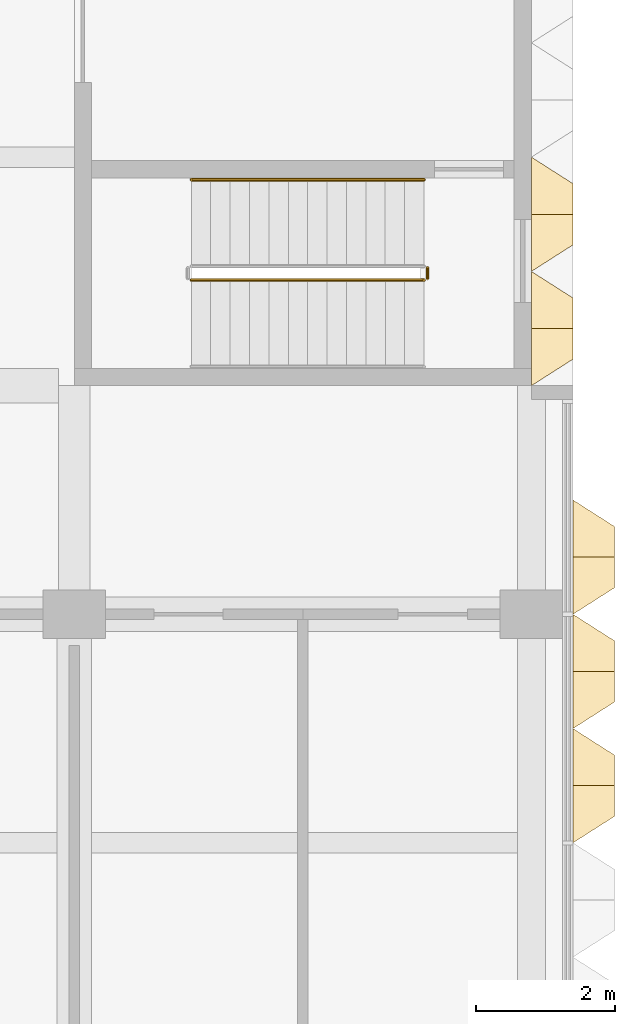
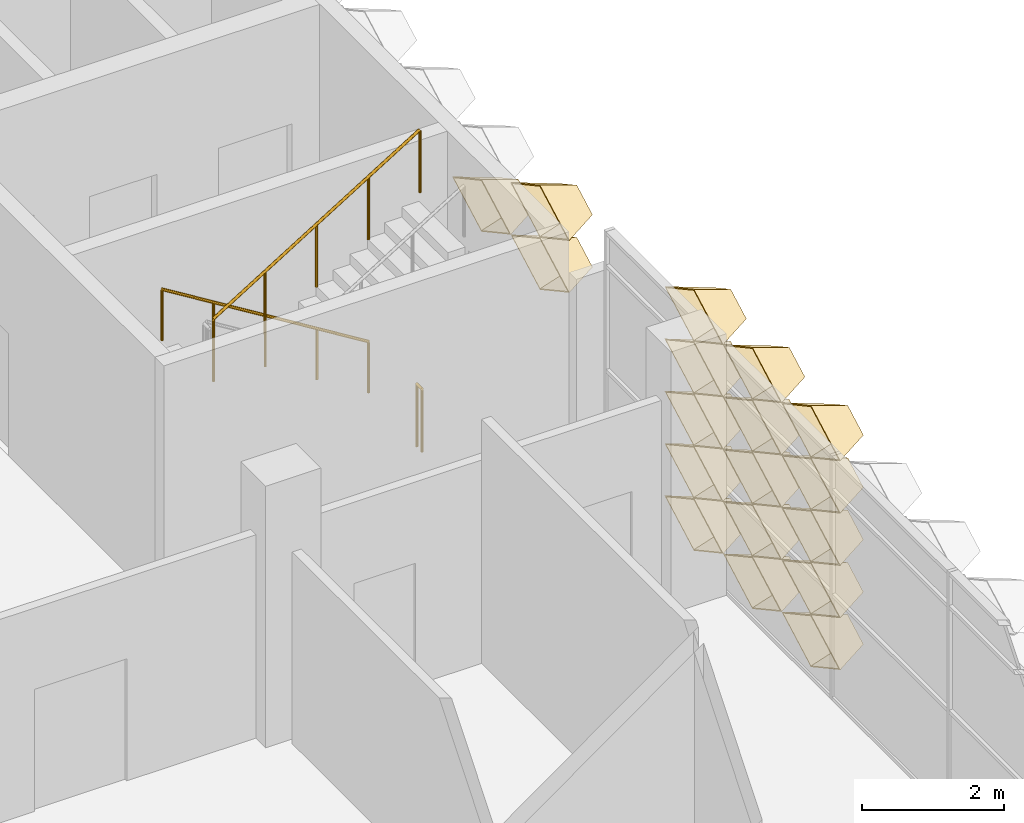
# One storey, part 63 of 87: 18 coverings, 3 railings.
"""IFC4 building model written with IfcOpenShell, lengths in metres."""

from ifc_helpers import new_model, entity, si_unit, direction, frame, origin, origin_2d, place, context, subcontext, project, spatial, circle, extrude, material, layer, layer_set, type_object, element, save


model = new_model("IFC4")

# Units and contexts
model_context = context("Model", 3, precision=1e-05, world=origin(), true_north=direction((0.0, 1.0)))
body_context = subcontext(model_context, "Body", "Model", "MODEL_VIEW")
ifc_project = project(units=[si_unit("LENGTHUNIT", "METRE"), si_unit("AREAUNIT", "SQUARE_METRE"), si_unit("VOLUMEUNIT", "CUBIC_METRE"), si_unit("PLANEANGLEUNIT", "RADIAN"), si_unit("MASSUNIT", "GRAM", prefix="KILO")], contexts=[model_context])

# Site, building, storey
site_placement = place(None, origin())
site = spatial("IfcSite", under=ifc_project, at=site_placement, CompositionType="ELEMENT")
building_placement = place(site_placement, origin())
building = spatial("IfcBuilding", under=site, at=building_placement, Name="Lantern Court Research Institute", CompositionType="ELEMENT")
storey_placement = place(building_placement, frame((0.0, 0.0, 5.39990234375)))
storey = spatial("IfcBuildingStorey", under=building, at=storey_placement, Name="L01", CompositionType="ELEMENT", Elevation=5.39990234375)

# Coverings
ifc_material_1 = material(Name="Anodised aluminium", Category="aluminium")
ifc_layer = layer(ifc_material_1, 0.01611328125)
ifc_layer_set = layer_set([ifc_layer], Name="Anodised aluminium")
covering_type = type_object("IfcCoveringType", Name="Fin cassette 1650 x 900 x 600 aluminium", PredefinedType="CLADDING", material=ifc_layer_set)
covering_1_placement = place(storey_placement, frame((79.199951171875, 14.02490234375, 3.150146484375), z_axis=(1.0, 0.0, 0.0), x_axis=(0.0, 1.0, 0.0)))
cartesian_point_1 = entity("IfcCartesianPoint", [0.824951171875, 0.0])
cartesian_point_2 = entity("IfcCartesianPoint", [0.79150390625, 0.0])
cartesian_point_3 = entity("IfcCartesianPoint", [0.44189453125, 0.0])
cartesian_point_4 = entity("IfcCartesianPoint", [0.43359375, 0.0])
element("IfcCovering", 1, at=covering_1_placement, inside=storey, type_object=covering_type, Name="Fin cassette V5E-L01 4.9", PredefinedType="CLADDING", context=body_context, shape_type="SweptSolid", body=[
    entity("IfcExtrudedAreaSolidTapered", entity("IfcArbitraryProfileDefWithVoids", "AREA", None, entity("IfcPolyline", [cartesian_point_1, entity("IfcCartesianPoint", [0.0, 0.449951171875]), entity("IfcCartesianPoint", [-0.824951171875, 0.0]), entity("IfcCartesianPoint", [0.0, -0.449951171875]), cartesian_point_1]), [entity("IfcPolyline", [cartesian_point_2, entity("IfcCartesianPoint", [0.0, 0.431884765625]), entity("IfcCartesianPoint", [-0.79150390625, 0.0]), entity("IfcCartesianPoint", [0.0, -0.431884765625]), cartesian_point_2])]), entity("IfcAxis2Placement3D", entity("IfcCartesianPoint", [0.0, 0.0, 0.0])), entity("IfcDirection", [0.0, 0.0, 1.0]), 0.60009765625, entity("IfcArbitraryProfileDefWithVoids", "AREA", None, entity("IfcPolyline", [cartesian_point_3, entity("IfcCartesianPoint", [0.0, 0.240966796875]), entity("IfcCartesianPoint", [-0.44189453125, 0.0]), entity("IfcCartesianPoint", [0.0, -0.240966796875]), cartesian_point_3]), [entity("IfcPolyline", [cartesian_point_4, entity("IfcCartesianPoint", [0.0, 0.236572265625]), entity("IfcCartesianPoint", [-0.43359375, 0.0]), entity("IfcCartesianPoint", [0.0, -0.236572265625]), cartesian_point_4])])),
])
covering_2_placement = place(storey_placement, frame((79.199951171875, 15.675048828125, 3.150146484375), z_axis=(1.0, 0.0, 0.0), x_axis=(0.0, 1.0, 0.0)))
cartesian_point_5 = entity("IfcCartesianPoint", [0.824951171875, 0.0])
cartesian_point_6 = entity("IfcCartesianPoint", [0.79150390625, 0.0])
cartesian_point_7 = entity("IfcCartesianPoint", [0.44189453125, 0.0])
cartesian_point_8 = entity("IfcCartesianPoint", [0.43359375, 0.0])
element("IfcCovering", 2, at=covering_2_placement, inside=storey, type_object=covering_type, Name="Fin cassette V5E-L01 4.10", PredefinedType="CLADDING", context=body_context, shape_type="SweptSolid", body=[
    entity("IfcExtrudedAreaSolidTapered", entity("IfcArbitraryProfileDefWithVoids", "AREA", None, entity("IfcPolyline", [cartesian_point_5, entity("IfcCartesianPoint", [0.0, 0.449951171875]), entity("IfcCartesianPoint", [-0.824951171875, 0.0]), entity("IfcCartesianPoint", [0.0, -0.449951171875]), cartesian_point_5]), [entity("IfcPolyline", [cartesian_point_6, entity("IfcCartesianPoint", [0.0, 0.431884765625]), entity("IfcCartesianPoint", [-0.79150390625, 0.0]), entity("IfcCartesianPoint", [0.0, -0.431884765625]), cartesian_point_6])]), entity("IfcAxis2Placement3D", entity("IfcCartesianPoint", [0.0, 0.0, 0.0])), entity("IfcDirection", [0.0, 0.0, 1.0]), 0.60009765625, entity("IfcArbitraryProfileDefWithVoids", "AREA", None, entity("IfcPolyline", [cartesian_point_7, entity("IfcCartesianPoint", [0.0, 0.240966796875]), entity("IfcCartesianPoint", [-0.44189453125, 0.0]), entity("IfcCartesianPoint", [0.0, -0.240966796875]), cartesian_point_7]), [entity("IfcPolyline", [cartesian_point_8, entity("IfcCartesianPoint", [0.0, 0.236572265625]), entity("IfcCartesianPoint", [-0.43359375, 0.0]), entity("IfcCartesianPoint", [0.0, -0.236572265625]), cartesian_point_8])])),
])
covering_3_placement = place(storey_placement, frame((79.199951171875, 14.02490234375, 4.050048828125), z_axis=(1.0, 0.0, 0.0), x_axis=(0.0, 1.0, 0.0)))
cartesian_point_9 = entity("IfcCartesianPoint", [0.824951171875, 0.0])
cartesian_point_10 = entity("IfcCartesianPoint", [0.79150390625, 0.0])
cartesian_point_11 = entity("IfcCartesianPoint", [0.44189453125, 0.0])
cartesian_point_12 = entity("IfcCartesianPoint", [0.43359375, 0.0])
element("IfcCovering", 3, at=covering_3_placement, inside=storey, type_object=covering_type, Name="Fin cassette V5E-L01 5.9", PredefinedType="CLADDING", context=body_context, shape_type="SweptSolid", body=[
    entity("IfcExtrudedAreaSolidTapered", entity("IfcArbitraryProfileDefWithVoids", "AREA", None, entity("IfcPolyline", [cartesian_point_9, entity("IfcCartesianPoint", [0.0, 0.449951171875]), entity("IfcCartesianPoint", [-0.824951171875, 0.0]), entity("IfcCartesianPoint", [0.0, -0.449951171875]), cartesian_point_9]), [entity("IfcPolyline", [cartesian_point_10, entity("IfcCartesianPoint", [0.0, 0.431884765625]), entity("IfcCartesianPoint", [-0.79150390625, 0.0]), entity("IfcCartesianPoint", [0.0, -0.431884765625]), cartesian_point_10])]), entity("IfcAxis2Placement3D", entity("IfcCartesianPoint", [0.0, 0.0, 0.0])), entity("IfcDirection", [0.0, 0.0, 1.0]), 0.60009765625, entity("IfcArbitraryProfileDefWithVoids", "AREA", None, entity("IfcPolyline", [cartesian_point_11, entity("IfcCartesianPoint", [0.0, 0.240966796875]), entity("IfcCartesianPoint", [-0.44189453125, 0.0]), entity("IfcCartesianPoint", [0.0, -0.240966796875]), cartesian_point_11]), [entity("IfcPolyline", [cartesian_point_12, entity("IfcCartesianPoint", [0.0, 0.236572265625]), entity("IfcCartesianPoint", [-0.43359375, 0.0]), entity("IfcCartesianPoint", [0.0, -0.236572265625]), cartesian_point_12])])),
])
covering_4_placement = place(storey_placement, frame((79.800048828125, 7.425048828125, 0.4501953125), z_axis=(1.0, 0.0, 0.0), x_axis=(0.0, 1.0, 0.0)))
cartesian_point_13 = entity("IfcCartesianPoint", [0.824951171875, 0.0])
cartesian_point_14 = entity("IfcCartesianPoint", [0.79150390625, 0.0])
cartesian_point_15 = entity("IfcCartesianPoint", [0.44189453125, 0.0])
cartesian_point_16 = entity("IfcCartesianPoint", [0.43359375, 0.0])
element("IfcCovering", 4, at=covering_4_placement, inside=storey, type_object=covering_type, Name="Fin cassette V5E-L01 1.5", PredefinedType="CLADDING", context=body_context, shape_type="SweptSolid", body=[
    entity("IfcExtrudedAreaSolidTapered", entity("IfcArbitraryProfileDefWithVoids", "AREA", None, entity("IfcPolyline", [cartesian_point_13, entity("IfcCartesianPoint", [0.0, 0.449951171875]), entity("IfcCartesianPoint", [-0.824951171875, 0.0]), entity("IfcCartesianPoint", [0.0, -0.449951171875]), cartesian_point_13]), [entity("IfcPolyline", [cartesian_point_14, entity("IfcCartesianPoint", [0.0, 0.431884765625]), entity("IfcCartesianPoint", [-0.79150390625, 0.0]), entity("IfcCartesianPoint", [0.0, -0.431884765625]), cartesian_point_14])]), entity("IfcAxis2Placement3D", entity("IfcCartesianPoint", [0.0, 0.0, 0.0])), entity("IfcDirection", [0.0, 0.0, 1.0]), 0.60009765625, entity("IfcArbitraryProfileDefWithVoids", "AREA", None, entity("IfcPolyline", [cartesian_point_15, entity("IfcCartesianPoint", [0.0, 0.240966796875]), entity("IfcCartesianPoint", [-0.44189453125, 0.0]), entity("IfcCartesianPoint", [0.0, -0.240966796875]), cartesian_point_15]), [entity("IfcPolyline", [cartesian_point_16, entity("IfcCartesianPoint", [0.0, 0.236572265625]), entity("IfcCartesianPoint", [-0.43359375, 0.0]), entity("IfcCartesianPoint", [0.0, -0.236572265625]), cartesian_point_16])])),
])
covering_5_placement = place(storey_placement, frame((79.800048828125, 9.074951171875, 0.4501953125), z_axis=(1.0, 0.0, 0.0), x_axis=(0.0, 1.0, 0.0)))
cartesian_point_17 = entity("IfcCartesianPoint", [0.824951171875, 0.0])
cartesian_point_18 = entity("IfcCartesianPoint", [0.79150390625, 0.0])
cartesian_point_19 = entity("IfcCartesianPoint", [0.44189453125, 0.0])
cartesian_point_20 = entity("IfcCartesianPoint", [0.43359375, 0.0])
element("IfcCovering", 5, at=covering_5_placement, inside=storey, type_object=covering_type, Name="Fin cassette V5E-L01 1.6", PredefinedType="CLADDING", context=body_context, shape_type="SweptSolid", body=[
    entity("IfcExtrudedAreaSolidTapered", entity("IfcArbitraryProfileDefWithVoids", "AREA", None, entity("IfcPolyline", [cartesian_point_17, entity("IfcCartesianPoint", [0.0, 0.449951171875]), entity("IfcCartesianPoint", [-0.824951171875, 0.0]), entity("IfcCartesianPoint", [0.0, -0.449951171875]), cartesian_point_17]), [entity("IfcPolyline", [cartesian_point_18, entity("IfcCartesianPoint", [0.0, 0.431884765625]), entity("IfcCartesianPoint", [-0.79150390625, 0.0]), entity("IfcCartesianPoint", [0.0, -0.431884765625]), cartesian_point_18])]), entity("IfcAxis2Placement3D", entity("IfcCartesianPoint", [0.0, 0.0, 0.0])), entity("IfcDirection", [0.0, 0.0, 1.0]), 0.60009765625, entity("IfcArbitraryProfileDefWithVoids", "AREA", None, entity("IfcPolyline", [cartesian_point_19, entity("IfcCartesianPoint", [0.0, 0.240966796875]), entity("IfcCartesianPoint", [-0.44189453125, 0.0]), entity("IfcCartesianPoint", [0.0, -0.240966796875]), cartesian_point_19]), [entity("IfcPolyline", [cartesian_point_20, entity("IfcCartesianPoint", [0.0, 0.236572265625]), entity("IfcCartesianPoint", [-0.43359375, 0.0]), entity("IfcCartesianPoint", [0.0, -0.236572265625]), cartesian_point_20])])),
])
covering_6_placement = place(storey_placement, frame((79.800048828125, 10.72509765625, 0.4501953125), z_axis=(1.0, 0.0, 0.0), x_axis=(0.0, 1.0, 0.0)))
cartesian_point_21 = entity("IfcCartesianPoint", [0.824951171875, 0.0])
cartesian_point_22 = entity("IfcCartesianPoint", [0.79150390625, 0.0])
cartesian_point_23 = entity("IfcCartesianPoint", [0.44189453125, 0.0])
cartesian_point_24 = entity("IfcCartesianPoint", [0.43359375, 0.0])
element("IfcCovering", 6, at=covering_6_placement, inside=storey, type_object=covering_type, Name="Fin cassette V5E-L01 1.7", PredefinedType="CLADDING", context=body_context, shape_type="SweptSolid", body=[
    entity("IfcExtrudedAreaSolidTapered", entity("IfcArbitraryProfileDefWithVoids", "AREA", None, entity("IfcPolyline", [cartesian_point_21, entity("IfcCartesianPoint", [0.0, 0.449951171875]), entity("IfcCartesianPoint", [-0.824951171875, 0.0]), entity("IfcCartesianPoint", [0.0, -0.449951171875]), cartesian_point_21]), [entity("IfcPolyline", [cartesian_point_22, entity("IfcCartesianPoint", [0.0, 0.431884765625]), entity("IfcCartesianPoint", [-0.79150390625, 0.0]), entity("IfcCartesianPoint", [0.0, -0.431884765625]), cartesian_point_22])]), entity("IfcAxis2Placement3D", entity("IfcCartesianPoint", [0.0, 0.0, 0.0])), entity("IfcDirection", [0.0, 0.0, 1.0]), 0.60009765625, entity("IfcArbitraryProfileDefWithVoids", "AREA", None, entity("IfcPolyline", [cartesian_point_23, entity("IfcCartesianPoint", [0.0, 0.240966796875]), entity("IfcCartesianPoint", [-0.44189453125, 0.0]), entity("IfcCartesianPoint", [0.0, -0.240966796875]), cartesian_point_23]), [entity("IfcPolyline", [cartesian_point_24, entity("IfcCartesianPoint", [0.0, 0.236572265625]), entity("IfcCartesianPoint", [-0.43359375, 0.0]), entity("IfcCartesianPoint", [0.0, -0.236572265625]), cartesian_point_24])])),
])
covering_7_placement = place(storey_placement, frame((79.800048828125, 7.425048828125, 1.35009765625), z_axis=(1.0, 0.0, 0.0), x_axis=(0.0, 1.0, 0.0)))
cartesian_point_25 = entity("IfcCartesianPoint", [0.824951171875, 0.0])
cartesian_point_26 = entity("IfcCartesianPoint", [0.79150390625, 0.0])
cartesian_point_27 = entity("IfcCartesianPoint", [0.44189453125, 0.0])
cartesian_point_28 = entity("IfcCartesianPoint", [0.43359375, 0.0])
element("IfcCovering", 7, at=covering_7_placement, inside=storey, type_object=covering_type, Name="Fin cassette V5E-L01 2.5", PredefinedType="CLADDING", context=body_context, shape_type="SweptSolid", body=[
    entity("IfcExtrudedAreaSolidTapered", entity("IfcArbitraryProfileDefWithVoids", "AREA", None, entity("IfcPolyline", [cartesian_point_25, entity("IfcCartesianPoint", [0.0, 0.449951171875]), entity("IfcCartesianPoint", [-0.824951171875, 0.0]), entity("IfcCartesianPoint", [0.0, -0.449951171875]), cartesian_point_25]), [entity("IfcPolyline", [cartesian_point_26, entity("IfcCartesianPoint", [0.0, 0.431884765625]), entity("IfcCartesianPoint", [-0.79150390625, 0.0]), entity("IfcCartesianPoint", [0.0, -0.431884765625]), cartesian_point_26])]), entity("IfcAxis2Placement3D", entity("IfcCartesianPoint", [0.0, 0.0, 0.0])), entity("IfcDirection", [0.0, 0.0, 1.0]), 0.60009765625, entity("IfcArbitraryProfileDefWithVoids", "AREA", None, entity("IfcPolyline", [cartesian_point_27, entity("IfcCartesianPoint", [0.0, 0.240966796875]), entity("IfcCartesianPoint", [-0.44189453125, 0.0]), entity("IfcCartesianPoint", [0.0, -0.240966796875]), cartesian_point_27]), [entity("IfcPolyline", [cartesian_point_28, entity("IfcCartesianPoint", [0.0, 0.236572265625]), entity("IfcCartesianPoint", [-0.43359375, 0.0]), entity("IfcCartesianPoint", [0.0, -0.236572265625]), cartesian_point_28])])),
])
covering_8_placement = place(storey_placement, frame((79.800048828125, 9.074951171875, 1.35009765625), z_axis=(1.0, 0.0, 0.0), x_axis=(0.0, 1.0, 0.0)))
cartesian_point_29 = entity("IfcCartesianPoint", [0.824951171875, 0.0])
cartesian_point_30 = entity("IfcCartesianPoint", [0.79150390625, 0.0])
cartesian_point_31 = entity("IfcCartesianPoint", [0.44189453125, 0.0])
cartesian_point_32 = entity("IfcCartesianPoint", [0.43359375, 0.0])
element("IfcCovering", 8, at=covering_8_placement, inside=storey, type_object=covering_type, Name="Fin cassette V5E-L01 2.6", PredefinedType="CLADDING", context=body_context, shape_type="SweptSolid", body=[
    entity("IfcExtrudedAreaSolidTapered", entity("IfcArbitraryProfileDefWithVoids", "AREA", None, entity("IfcPolyline", [cartesian_point_29, entity("IfcCartesianPoint", [0.0, 0.449951171875]), entity("IfcCartesianPoint", [-0.824951171875, 0.0]), entity("IfcCartesianPoint", [0.0, -0.449951171875]), cartesian_point_29]), [entity("IfcPolyline", [cartesian_point_30, entity("IfcCartesianPoint", [0.0, 0.431884765625]), entity("IfcCartesianPoint", [-0.79150390625, 0.0]), entity("IfcCartesianPoint", [0.0, -0.431884765625]), cartesian_point_30])]), entity("IfcAxis2Placement3D", entity("IfcCartesianPoint", [0.0, 0.0, 0.0])), entity("IfcDirection", [0.0, 0.0, 1.0]), 0.60009765625, entity("IfcArbitraryProfileDefWithVoids", "AREA", None, entity("IfcPolyline", [cartesian_point_31, entity("IfcCartesianPoint", [0.0, 0.240966796875]), entity("IfcCartesianPoint", [-0.44189453125, 0.0]), entity("IfcCartesianPoint", [0.0, -0.240966796875]), cartesian_point_31]), [entity("IfcPolyline", [cartesian_point_32, entity("IfcCartesianPoint", [0.0, 0.236572265625]), entity("IfcCartesianPoint", [-0.43359375, 0.0]), entity("IfcCartesianPoint", [0.0, -0.236572265625]), cartesian_point_32])])),
])
covering_9_placement = place(storey_placement, frame((79.800048828125, 10.72509765625, 1.35009765625), z_axis=(1.0, 0.0, 0.0), x_axis=(0.0, 1.0, 0.0)))
cartesian_point_33 = entity("IfcCartesianPoint", [0.824951171875, 0.0])
cartesian_point_34 = entity("IfcCartesianPoint", [0.79150390625, 0.0])
cartesian_point_35 = entity("IfcCartesianPoint", [0.44189453125, 0.0])
cartesian_point_36 = entity("IfcCartesianPoint", [0.43359375, 0.0])
element("IfcCovering", 9, at=covering_9_placement, inside=storey, type_object=covering_type, Name="Fin cassette V5E-L01 2.7", PredefinedType="CLADDING", context=body_context, shape_type="SweptSolid", body=[
    entity("IfcExtrudedAreaSolidTapered", entity("IfcArbitraryProfileDefWithVoids", "AREA", None, entity("IfcPolyline", [cartesian_point_33, entity("IfcCartesianPoint", [0.0, 0.449951171875]), entity("IfcCartesianPoint", [-0.824951171875, 0.0]), entity("IfcCartesianPoint", [0.0, -0.449951171875]), cartesian_point_33]), [entity("IfcPolyline", [cartesian_point_34, entity("IfcCartesianPoint", [0.0, 0.431884765625]), entity("IfcCartesianPoint", [-0.79150390625, 0.0]), entity("IfcCartesianPoint", [0.0, -0.431884765625]), cartesian_point_34])]), entity("IfcAxis2Placement3D", entity("IfcCartesianPoint", [0.0, 0.0, 0.0])), entity("IfcDirection", [0.0, 0.0, 1.0]), 0.60009765625, entity("IfcArbitraryProfileDefWithVoids", "AREA", None, entity("IfcPolyline", [cartesian_point_35, entity("IfcCartesianPoint", [0.0, 0.240966796875]), entity("IfcCartesianPoint", [-0.44189453125, 0.0]), entity("IfcCartesianPoint", [0.0, -0.240966796875]), cartesian_point_35]), [entity("IfcPolyline", [cartesian_point_36, entity("IfcCartesianPoint", [0.0, 0.236572265625]), entity("IfcCartesianPoint", [-0.43359375, 0.0]), entity("IfcCartesianPoint", [0.0, -0.236572265625]), cartesian_point_36])])),
])
covering_10_placement = place(storey_placement, frame((79.800048828125, 7.425048828125, 2.25), z_axis=(1.0, 0.0, 0.0), x_axis=(0.0, 1.0, 0.0)))
cartesian_point_37 = entity("IfcCartesianPoint", [0.824951171875, 0.0])
cartesian_point_38 = entity("IfcCartesianPoint", [0.79150390625, 0.0])
cartesian_point_39 = entity("IfcCartesianPoint", [0.44189453125, 0.0])
cartesian_point_40 = entity("IfcCartesianPoint", [0.43359375, 0.0])
element("IfcCovering", 10, at=covering_10_placement, inside=storey, type_object=covering_type, Name="Fin cassette V5E-L01 3.5", PredefinedType="CLADDING", context=body_context, shape_type="SweptSolid", body=[
    entity("IfcExtrudedAreaSolidTapered", entity("IfcArbitraryProfileDefWithVoids", "AREA", None, entity("IfcPolyline", [cartesian_point_37, entity("IfcCartesianPoint", [0.0, 0.449951171875]), entity("IfcCartesianPoint", [-0.824951171875, 0.0]), entity("IfcCartesianPoint", [0.0, -0.449951171875]), cartesian_point_37]), [entity("IfcPolyline", [cartesian_point_38, entity("IfcCartesianPoint", [0.0, 0.431884765625]), entity("IfcCartesianPoint", [-0.79150390625, 0.0]), entity("IfcCartesianPoint", [0.0, -0.431884765625]), cartesian_point_38])]), entity("IfcAxis2Placement3D", entity("IfcCartesianPoint", [0.0, 0.0, 0.0])), entity("IfcDirection", [0.0, 0.0, 1.0]), 0.60009765625, entity("IfcArbitraryProfileDefWithVoids", "AREA", None, entity("IfcPolyline", [cartesian_point_39, entity("IfcCartesianPoint", [0.0, 0.240966796875]), entity("IfcCartesianPoint", [-0.44189453125, 0.0]), entity("IfcCartesianPoint", [0.0, -0.240966796875]), cartesian_point_39]), [entity("IfcPolyline", [cartesian_point_40, entity("IfcCartesianPoint", [0.0, 0.236572265625]), entity("IfcCartesianPoint", [-0.43359375, 0.0]), entity("IfcCartesianPoint", [0.0, -0.236572265625]), cartesian_point_40])])),
])
covering_11_placement = place(storey_placement, frame((79.800048828125, 9.074951171875, 2.25), z_axis=(1.0, 0.0, 0.0), x_axis=(0.0, 1.0, 0.0)))
cartesian_point_41 = entity("IfcCartesianPoint", [0.824951171875, 0.0])
cartesian_point_42 = entity("IfcCartesianPoint", [0.79150390625, 0.0])
cartesian_point_43 = entity("IfcCartesianPoint", [0.44189453125, 0.0])
cartesian_point_44 = entity("IfcCartesianPoint", [0.43359375, 0.0])
element("IfcCovering", 11, at=covering_11_placement, inside=storey, type_object=covering_type, Name="Fin cassette V5E-L01 3.6", PredefinedType="CLADDING", context=body_context, shape_type="SweptSolid", body=[
    entity("IfcExtrudedAreaSolidTapered", entity("IfcArbitraryProfileDefWithVoids", "AREA", None, entity("IfcPolyline", [cartesian_point_41, entity("IfcCartesianPoint", [0.0, 0.449951171875]), entity("IfcCartesianPoint", [-0.824951171875, 0.0]), entity("IfcCartesianPoint", [0.0, -0.449951171875]), cartesian_point_41]), [entity("IfcPolyline", [cartesian_point_42, entity("IfcCartesianPoint", [0.0, 0.431884765625]), entity("IfcCartesianPoint", [-0.79150390625, 0.0]), entity("IfcCartesianPoint", [0.0, -0.431884765625]), cartesian_point_42])]), entity("IfcAxis2Placement3D", entity("IfcCartesianPoint", [0.0, 0.0, 0.0])), entity("IfcDirection", [0.0, 0.0, 1.0]), 0.60009765625, entity("IfcArbitraryProfileDefWithVoids", "AREA", None, entity("IfcPolyline", [cartesian_point_43, entity("IfcCartesianPoint", [0.0, 0.240966796875]), entity("IfcCartesianPoint", [-0.44189453125, 0.0]), entity("IfcCartesianPoint", [0.0, -0.240966796875]), cartesian_point_43]), [entity("IfcPolyline", [cartesian_point_44, entity("IfcCartesianPoint", [0.0, 0.236572265625]), entity("IfcCartesianPoint", [-0.43359375, 0.0]), entity("IfcCartesianPoint", [0.0, -0.236572265625]), cartesian_point_44])])),
])
covering_12_placement = place(storey_placement, frame((79.800048828125, 10.72509765625, 2.25), z_axis=(1.0, 0.0, 0.0), x_axis=(0.0, 1.0, 0.0)))
cartesian_point_45 = entity("IfcCartesianPoint", [0.824951171875, 0.0])
cartesian_point_46 = entity("IfcCartesianPoint", [0.79150390625, 0.0])
cartesian_point_47 = entity("IfcCartesianPoint", [0.44189453125, 0.0])
cartesian_point_48 = entity("IfcCartesianPoint", [0.43359375, 0.0])
element("IfcCovering", 12, at=covering_12_placement, inside=storey, type_object=covering_type, Name="Fin cassette V5E-L01 3.7", PredefinedType="CLADDING", context=body_context, shape_type="SweptSolid", body=[
    entity("IfcExtrudedAreaSolidTapered", entity("IfcArbitraryProfileDefWithVoids", "AREA", None, entity("IfcPolyline", [cartesian_point_45, entity("IfcCartesianPoint", [0.0, 0.449951171875]), entity("IfcCartesianPoint", [-0.824951171875, 0.0]), entity("IfcCartesianPoint", [0.0, -0.449951171875]), cartesian_point_45]), [entity("IfcPolyline", [cartesian_point_46, entity("IfcCartesianPoint", [0.0, 0.431884765625]), entity("IfcCartesianPoint", [-0.79150390625, 0.0]), entity("IfcCartesianPoint", [0.0, -0.431884765625]), cartesian_point_46])]), entity("IfcAxis2Placement3D", entity("IfcCartesianPoint", [0.0, 0.0, 0.0])), entity("IfcDirection", [0.0, 0.0, 1.0]), 0.60009765625, entity("IfcArbitraryProfileDefWithVoids", "AREA", None, entity("IfcPolyline", [cartesian_point_47, entity("IfcCartesianPoint", [0.0, 0.240966796875]), entity("IfcCartesianPoint", [-0.44189453125, 0.0]), entity("IfcCartesianPoint", [0.0, -0.240966796875]), cartesian_point_47]), [entity("IfcPolyline", [cartesian_point_48, entity("IfcCartesianPoint", [0.0, 0.236572265625]), entity("IfcCartesianPoint", [-0.43359375, 0.0]), entity("IfcCartesianPoint", [0.0, -0.236572265625]), cartesian_point_48])])),
])
covering_13_placement = place(storey_placement, frame((79.800048828125, 7.425048828125, 3.150146484375), z_axis=(1.0, 0.0, 0.0), x_axis=(0.0, 1.0, 0.0)))
cartesian_point_49 = entity("IfcCartesianPoint", [0.824951171875, 0.0])
cartesian_point_50 = entity("IfcCartesianPoint", [0.79150390625, 0.0])
cartesian_point_51 = entity("IfcCartesianPoint", [0.44189453125, 0.0])
cartesian_point_52 = entity("IfcCartesianPoint", [0.43359375, 0.0])
element("IfcCovering", 13, at=covering_13_placement, inside=storey, type_object=covering_type, Name="Fin cassette V5E-L01 4.5", PredefinedType="CLADDING", context=body_context, shape_type="SweptSolid", body=[
    entity("IfcExtrudedAreaSolidTapered", entity("IfcArbitraryProfileDefWithVoids", "AREA", None, entity("IfcPolyline", [cartesian_point_49, entity("IfcCartesianPoint", [0.0, 0.449951171875]), entity("IfcCartesianPoint", [-0.824951171875, 0.0]), entity("IfcCartesianPoint", [0.0, -0.449951171875]), cartesian_point_49]), [entity("IfcPolyline", [cartesian_point_50, entity("IfcCartesianPoint", [0.0, 0.431884765625]), entity("IfcCartesianPoint", [-0.79150390625, 0.0]), entity("IfcCartesianPoint", [0.0, -0.431884765625]), cartesian_point_50])]), entity("IfcAxis2Placement3D", entity("IfcCartesianPoint", [0.0, 0.0, 0.0])), entity("IfcDirection", [0.0, 0.0, 1.0]), 0.60009765625, entity("IfcArbitraryProfileDefWithVoids", "AREA", None, entity("IfcPolyline", [cartesian_point_51, entity("IfcCartesianPoint", [0.0, 0.240966796875]), entity("IfcCartesianPoint", [-0.44189453125, 0.0]), entity("IfcCartesianPoint", [0.0, -0.240966796875]), cartesian_point_51]), [entity("IfcPolyline", [cartesian_point_52, entity("IfcCartesianPoint", [0.0, 0.236572265625]), entity("IfcCartesianPoint", [-0.43359375, 0.0]), entity("IfcCartesianPoint", [0.0, -0.236572265625]), cartesian_point_52])])),
])
covering_14_placement = place(storey_placement, frame((79.800048828125, 9.074951171875, 3.150146484375), z_axis=(1.0, 0.0, 0.0), x_axis=(0.0, 1.0, 0.0)))
cartesian_point_53 = entity("IfcCartesianPoint", [0.824951171875, 0.0])
cartesian_point_54 = entity("IfcCartesianPoint", [0.79150390625, 0.0])
cartesian_point_55 = entity("IfcCartesianPoint", [0.44189453125, 0.0])
cartesian_point_56 = entity("IfcCartesianPoint", [0.43359375, 0.0])
element("IfcCovering", 14, at=covering_14_placement, inside=storey, type_object=covering_type, Name="Fin cassette V5E-L01 4.6", PredefinedType="CLADDING", context=body_context, shape_type="SweptSolid", body=[
    entity("IfcExtrudedAreaSolidTapered", entity("IfcArbitraryProfileDefWithVoids", "AREA", None, entity("IfcPolyline", [cartesian_point_53, entity("IfcCartesianPoint", [0.0, 0.449951171875]), entity("IfcCartesianPoint", [-0.824951171875, 0.0]), entity("IfcCartesianPoint", [0.0, -0.449951171875]), cartesian_point_53]), [entity("IfcPolyline", [cartesian_point_54, entity("IfcCartesianPoint", [0.0, 0.431884765625]), entity("IfcCartesianPoint", [-0.79150390625, 0.0]), entity("IfcCartesianPoint", [0.0, -0.431884765625]), cartesian_point_54])]), entity("IfcAxis2Placement3D", entity("IfcCartesianPoint", [0.0, 0.0, 0.0])), entity("IfcDirection", [0.0, 0.0, 1.0]), 0.60009765625, entity("IfcArbitraryProfileDefWithVoids", "AREA", None, entity("IfcPolyline", [cartesian_point_55, entity("IfcCartesianPoint", [0.0, 0.240966796875]), entity("IfcCartesianPoint", [-0.44189453125, 0.0]), entity("IfcCartesianPoint", [0.0, -0.240966796875]), cartesian_point_55]), [entity("IfcPolyline", [cartesian_point_56, entity("IfcCartesianPoint", [0.0, 0.236572265625]), entity("IfcCartesianPoint", [-0.43359375, 0.0]), entity("IfcCartesianPoint", [0.0, -0.236572265625]), cartesian_point_56])])),
])
covering_15_placement = place(storey_placement, frame((79.800048828125, 10.72509765625, 3.150146484375), z_axis=(1.0, 0.0, 0.0), x_axis=(0.0, 1.0, 0.0)))
cartesian_point_57 = entity("IfcCartesianPoint", [0.824951171875, 0.0])
cartesian_point_58 = entity("IfcCartesianPoint", [0.79150390625, 0.0])
cartesian_point_59 = entity("IfcCartesianPoint", [0.44189453125, 0.0])
cartesian_point_60 = entity("IfcCartesianPoint", [0.43359375, 0.0])
element("IfcCovering", 15, at=covering_15_placement, inside=storey, type_object=covering_type, Name="Fin cassette V5E-L01 4.7", PredefinedType="CLADDING", context=body_context, shape_type="SweptSolid", body=[
    entity("IfcExtrudedAreaSolidTapered", entity("IfcArbitraryProfileDefWithVoids", "AREA", None, entity("IfcPolyline", [cartesian_point_57, entity("IfcCartesianPoint", [0.0, 0.449951171875]), entity("IfcCartesianPoint", [-0.824951171875, 0.0]), entity("IfcCartesianPoint", [0.0, -0.449951171875]), cartesian_point_57]), [entity("IfcPolyline", [cartesian_point_58, entity("IfcCartesianPoint", [0.0, 0.431884765625]), entity("IfcCartesianPoint", [-0.79150390625, 0.0]), entity("IfcCartesianPoint", [0.0, -0.431884765625]), cartesian_point_58])]), entity("IfcAxis2Placement3D", entity("IfcCartesianPoint", [0.0, 0.0, 0.0])), entity("IfcDirection", [0.0, 0.0, 1.0]), 0.60009765625, entity("IfcArbitraryProfileDefWithVoids", "AREA", None, entity("IfcPolyline", [cartesian_point_59, entity("IfcCartesianPoint", [0.0, 0.240966796875]), entity("IfcCartesianPoint", [-0.44189453125, 0.0]), entity("IfcCartesianPoint", [0.0, -0.240966796875]), cartesian_point_59]), [entity("IfcPolyline", [cartesian_point_60, entity("IfcCartesianPoint", [0.0, 0.236572265625]), entity("IfcCartesianPoint", [-0.43359375, 0.0]), entity("IfcCartesianPoint", [0.0, -0.236572265625]), cartesian_point_60])])),
])
covering_16_placement = place(storey_placement, frame((79.800048828125, 7.425048828125, 4.050048828125), z_axis=(1.0, 0.0, 0.0), x_axis=(0.0, 1.0, 0.0)))
cartesian_point_61 = entity("IfcCartesianPoint", [0.824951171875, 0.0])
cartesian_point_62 = entity("IfcCartesianPoint", [0.79150390625, 0.0])
cartesian_point_63 = entity("IfcCartesianPoint", [0.44189453125, 0.0])
cartesian_point_64 = entity("IfcCartesianPoint", [0.43359375, 0.0])
element("IfcCovering", 16, at=covering_16_placement, inside=storey, type_object=covering_type, Name="Fin cassette V5E-L01 5.5", PredefinedType="CLADDING", context=body_context, shape_type="SweptSolid", body=[
    entity("IfcExtrudedAreaSolidTapered", entity("IfcArbitraryProfileDefWithVoids", "AREA", None, entity("IfcPolyline", [cartesian_point_61, entity("IfcCartesianPoint", [0.0, 0.449951171875]), entity("IfcCartesianPoint", [-0.824951171875, 0.0]), entity("IfcCartesianPoint", [0.0, -0.449951171875]), cartesian_point_61]), [entity("IfcPolyline", [cartesian_point_62, entity("IfcCartesianPoint", [0.0, 0.431884765625]), entity("IfcCartesianPoint", [-0.79150390625, 0.0]), entity("IfcCartesianPoint", [0.0, -0.431884765625]), cartesian_point_62])]), entity("IfcAxis2Placement3D", entity("IfcCartesianPoint", [0.0, 0.0, 0.0])), entity("IfcDirection", [0.0, 0.0, 1.0]), 0.60009765625, entity("IfcArbitraryProfileDefWithVoids", "AREA", None, entity("IfcPolyline", [cartesian_point_63, entity("IfcCartesianPoint", [0.0, 0.240966796875]), entity("IfcCartesianPoint", [-0.44189453125, 0.0]), entity("IfcCartesianPoint", [0.0, -0.240966796875]), cartesian_point_63]), [entity("IfcPolyline", [cartesian_point_64, entity("IfcCartesianPoint", [0.0, 0.236572265625]), entity("IfcCartesianPoint", [-0.43359375, 0.0]), entity("IfcCartesianPoint", [0.0, -0.236572265625]), cartesian_point_64])])),
])
covering_17_placement = place(storey_placement, frame((79.800048828125, 9.074951171875, 4.050048828125), z_axis=(1.0, 0.0, 0.0), x_axis=(0.0, 1.0, 0.0)))
cartesian_point_65 = entity("IfcCartesianPoint", [0.824951171875, 0.0])
cartesian_point_66 = entity("IfcCartesianPoint", [0.79150390625, 0.0])
cartesian_point_67 = entity("IfcCartesianPoint", [0.44189453125, 0.0])
cartesian_point_68 = entity("IfcCartesianPoint", [0.43359375, 0.0])
element("IfcCovering", 17, at=covering_17_placement, inside=storey, type_object=covering_type, Name="Fin cassette V5E-L01 5.6", PredefinedType="CLADDING", context=body_context, shape_type="SweptSolid", body=[
    entity("IfcExtrudedAreaSolidTapered", entity("IfcArbitraryProfileDefWithVoids", "AREA", None, entity("IfcPolyline", [cartesian_point_65, entity("IfcCartesianPoint", [0.0, 0.449951171875]), entity("IfcCartesianPoint", [-0.824951171875, 0.0]), entity("IfcCartesianPoint", [0.0, -0.449951171875]), cartesian_point_65]), [entity("IfcPolyline", [cartesian_point_66, entity("IfcCartesianPoint", [0.0, 0.431884765625]), entity("IfcCartesianPoint", [-0.79150390625, 0.0]), entity("IfcCartesianPoint", [0.0, -0.431884765625]), cartesian_point_66])]), entity("IfcAxis2Placement3D", entity("IfcCartesianPoint", [0.0, 0.0, 0.0])), entity("IfcDirection", [0.0, 0.0, 1.0]), 0.60009765625, entity("IfcArbitraryProfileDefWithVoids", "AREA", None, entity("IfcPolyline", [cartesian_point_67, entity("IfcCartesianPoint", [0.0, 0.240966796875]), entity("IfcCartesianPoint", [-0.44189453125, 0.0]), entity("IfcCartesianPoint", [0.0, -0.240966796875]), cartesian_point_67]), [entity("IfcPolyline", [cartesian_point_68, entity("IfcCartesianPoint", [0.0, 0.236572265625]), entity("IfcCartesianPoint", [-0.43359375, 0.0]), entity("IfcCartesianPoint", [0.0, -0.236572265625]), cartesian_point_68])])),
])
covering_18_placement = place(storey_placement, frame((79.800048828125, 10.72509765625, 4.050048828125), z_axis=(1.0, 0.0, 0.0), x_axis=(0.0, 1.0, 0.0)))
cartesian_point_69 = entity("IfcCartesianPoint", [0.824951171875, 0.0])
cartesian_point_70 = entity("IfcCartesianPoint", [0.79150390625, 0.0])
cartesian_point_71 = entity("IfcCartesianPoint", [0.44189453125, 0.0])
cartesian_point_72 = entity("IfcCartesianPoint", [0.43359375, 0.0])
element("IfcCovering", 18, at=covering_18_placement, inside=storey, type_object=covering_type, Name="Fin cassette V5E-L01 5.7", PredefinedType="CLADDING", context=body_context, shape_type="SweptSolid", body=[
    entity("IfcExtrudedAreaSolidTapered", entity("IfcArbitraryProfileDefWithVoids", "AREA", None, entity("IfcPolyline", [cartesian_point_69, entity("IfcCartesianPoint", [0.0, 0.449951171875]), entity("IfcCartesianPoint", [-0.824951171875, 0.0]), entity("IfcCartesianPoint", [0.0, -0.449951171875]), cartesian_point_69]), [entity("IfcPolyline", [cartesian_point_70, entity("IfcCartesianPoint", [0.0, 0.431884765625]), entity("IfcCartesianPoint", [-0.79150390625, 0.0]), entity("IfcCartesianPoint", [0.0, -0.431884765625]), cartesian_point_70])]), entity("IfcAxis2Placement3D", entity("IfcCartesianPoint", [0.0, 0.0, 0.0])), entity("IfcDirection", [0.0, 0.0, 1.0]), 0.60009765625, entity("IfcArbitraryProfileDefWithVoids", "AREA", None, entity("IfcPolyline", [cartesian_point_71, entity("IfcCartesianPoint", [0.0, 0.240966796875]), entity("IfcCartesianPoint", [-0.44189453125, 0.0]), entity("IfcCartesianPoint", [0.0, -0.240966796875]), cartesian_point_71]), [entity("IfcPolyline", [cartesian_point_72, entity("IfcCartesianPoint", [0.0, 0.236572265625]), entity("IfcCartesianPoint", [-0.43359375, 0.0]), entity("IfcCartesianPoint", [0.0, -0.236572265625]), cartesian_point_72])])),
])

# Railings
ifc_material_2 = material(Name="Structural steel S355", Category="steel")
railing_type_1 = type_object("IfcRailingType", Name="Stair guard 1100 steel", PredefinedType="GUARDRAIL", material=ifc_material_2)
railing_1_placement = place(storey_placement, frame((74.2900390625, 14.72509765625, 2.423095703125)))
element("IfcRailing", 19, at=railing_1_placement, inside=storey, type_object=railing_type_1, Name="L01 ST-T2 stair guard 3", PredefinedType="GUARDRAIL", context=body_context, shape_type="SweptSolid", body=[
    extrude(circle(Radius=0.02392578125, at=origin_2d()), frame((0.0, 0.0, 1.076171875), z_axis=(0.850606129759, 0.0, 0.525803396734), x_axis=(0.0, 1.0, 0.0)), (0.0, 0.0, 1.0), 3.949951171875),
    extrude(circle(Radius=0.02099609375, at=origin_2d()), origin(), (0.0, 0.0, 1.0), 1.052001953125),
    extrude(circle(Radius=0.02099609375, at=origin_2d()), frame((0.83984375, 0.0, 0.519287109375)), (0.0, 0.0, 1.0), 1.052001953125),
    extrude(circle(Radius=0.02099609375, at=origin_2d()), frame((1.679931640625, 0.0, 1.03857421875)), (0.0, 0.0, 1.0), 1.052001953125),
    extrude(circle(Radius=0.02099609375, at=origin_2d()), frame((2.52001953125, 0.0, 1.5576171875)), (0.0, 0.0, 1.0), 1.052001953125),
    extrude(circle(Radius=0.02099609375, at=origin_2d()), frame((3.35986328125, 0.0, 2.076904296875)), (0.0, 0.0, 1.0), 1.052001953125),
])
railing_2_placement = place(storey_placement, frame((77.699951171875, 14.89990234375, 0.0)))
element("IfcRailing", 20, at=railing_2_placement, inside=storey, type_object=railing_type_1, Name="L01 ST-T2 stair guard 4", PredefinedType="GUARDRAIL", context=body_context, shape_type="SweptSolid", body=[
    extrude(circle(Radius=0.02392578125, at=origin_2d()), frame((0.0, 0.0, 1.076171875), z_axis=(0.0, -1.0, 0.0), x_axis=(1.0, 0.0, 0.0)), (0.0, 0.0, 1.0), 0.14990234375),
    extrude(circle(Radius=0.02099609375, at=origin_2d()), origin(), (0.0, 0.0, 1.0), 1.052001953125),
    extrude(circle(Radius=0.02099609375, at=origin_2d()), frame((0.0, -0.14990234375, 0.0)), (0.0, 0.0, 1.0), 1.052001953125),
])
ifc_material_3 = material(Name="Stainless steel 316", Category="steel")
railing_type_2 = type_object("IfcRailingType", Name="Stair handrail 900 steel", PredefinedType="HANDRAIL", material=ifc_material_3)
railing_3_placement = place(storey_placement, frame((77.64990234375, 16.175048828125, 0.173095703125)))
element("IfcRailing", 21, at=railing_3_placement, inside=storey, type_object=railing_type_2, Name="L01 ST-T2 stair handrail 1", PredefinedType="HANDRAIL", context=body_context, shape_type="SweptSolid", body=[
    extrude(circle(Radius=0.02392578125, at=origin_2d()), frame((0.0, 0.0, 0.8759765625), z_axis=(-0.850606129759, 0.0, 0.525803396734), x_axis=(0.0, -1.0, 0.0)), (0.0, 0.0, 1.0), 3.949951171875),
    extrude(circle(Radius=0.02099609375, at=origin_2d()), origin(), (0.0, 0.0, 1.0), 0.851806640625),
    extrude(circle(Radius=0.02099609375, at=origin_2d()), frame((-0.83984375, 0.0, 0.519287109375)), (0.0, 0.0, 1.0), 0.851806640625),
    extrude(circle(Radius=0.02099609375, at=origin_2d()), frame((-1.679931640625, 0.0, 1.03857421875)), (0.0, 0.0, 1.0), 0.851806640625),
    extrude(circle(Radius=0.02099609375, at=origin_2d()), frame((-2.52001953125, 0.0, 1.5576171875)), (0.0, 0.0, 1.0), 0.851806640625),
    extrude(circle(Radius=0.02099609375, at=origin_2d()), frame((-3.35986328125, 0.0, 2.076904296875)), (0.0, 0.0, 1.0), 0.851806640625),
])

save(model, "model.ifc")
